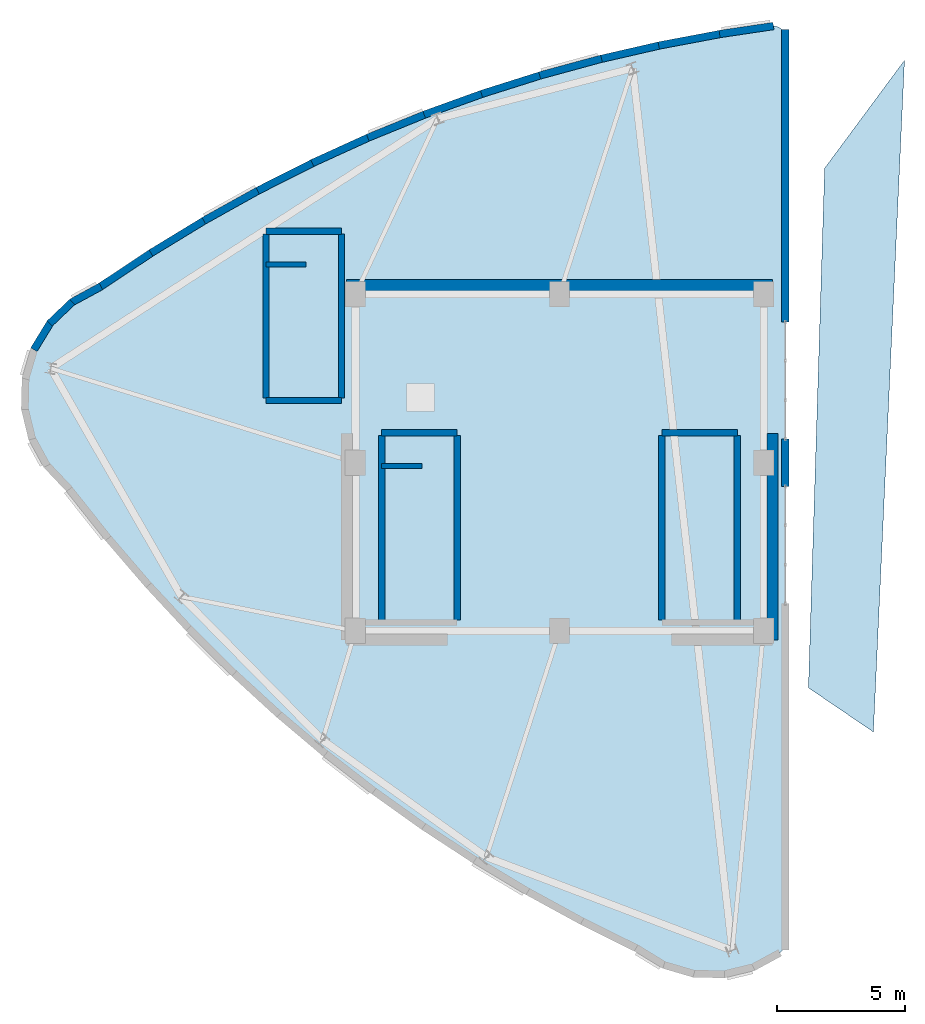
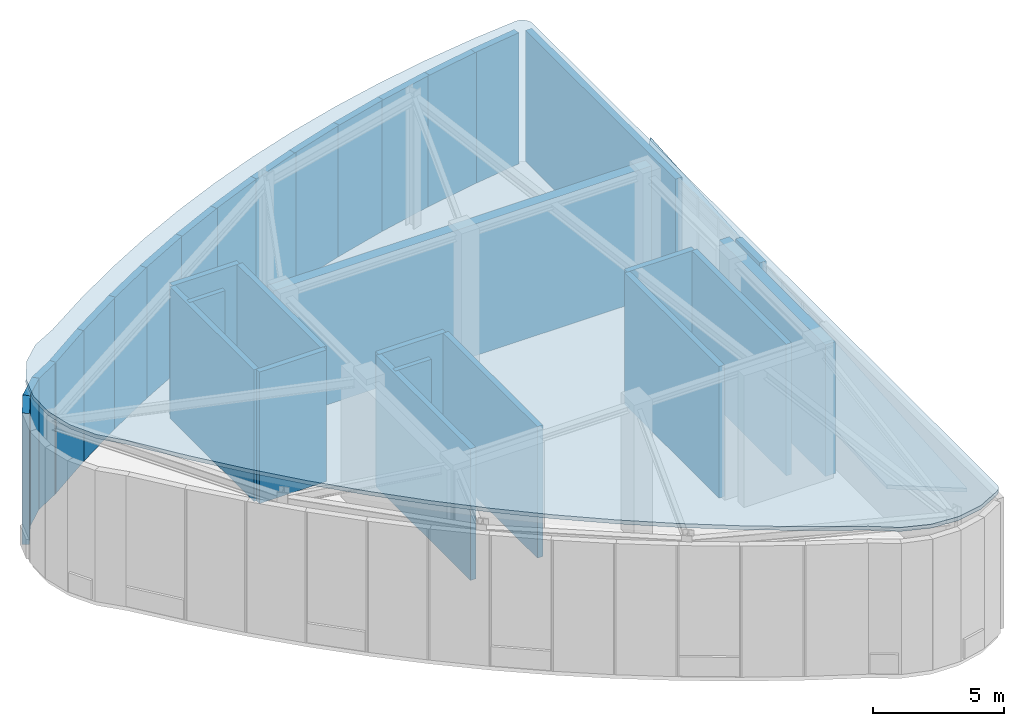
# One storey, part 8 of 9: 31 walls, 2 roofs.
"""IFC4 building model written with IfcOpenShell, lengths in metres."""

from ifc_helpers import new_model, si_unit, direction, frame, frame_2d, origin, place, context, subcontext, project, spatial, polyline, rectangle, outline, extrude, material, layer, layer_set, type_object, element, save


model = new_model("IFC4")

# Units and contexts
model_context = context("Model", 3, precision=1e-05, world=origin(), true_north=direction((0.0, 1.0)))
body_context = subcontext(model_context, "Body", "Model", "MODEL_VIEW")
ifc_project = project(units=[si_unit("LENGTHUNIT", "METRE"), si_unit("AREAUNIT", "SQUARE_METRE"), si_unit("VOLUMEUNIT", "CUBIC_METRE"), si_unit("PLANEANGLEUNIT", "RADIAN"), si_unit("MASSUNIT", "GRAM", prefix="KILO")], contexts=[model_context])

# Site, building, storey
site_placement = place(None, origin())
site = spatial("IfcSite", under=ifc_project, at=site_placement, CompositionType="ELEMENT")
building_placement = place(site_placement, origin())
building = spatial("IfcBuilding", under=site, at=building_placement, Name="Ndelora Gate Hotel", CompositionType="ELEMENT")
storey_placement = place(building_placement, frame((0.0, 0.0, 311.60009765625)))
storey = spatial("IfcBuildingStorey", under=building, at=storey_placement, Name="RF2", CompositionType="ELEMENT", Elevation=311.60009765625)

# Walls
ifc_material_1 = material(Name="Concrete C50/60", Category="concrete")
ifc_layer_1 = layer(ifc_material_1, 0.449951171875)
ifc_layer_set_1 = layer_set([ifc_layer_1], Name="Concrete C50/60")
wall_type_1 = type_object("IfcWallType", Name="WL-CORE-450", PredefinedType="SHEAR", material=ifc_layer_set_1)
wall_1_placement = place(storey_placement, frame((-8.35009765625, 6.949951171875, 0.0), z_axis=(0.0, 0.0, 1.0), x_axis=(1.0, 0.0, 0.0)))
element("IfcWall", 1, at=wall_1_placement, inside=storey, type_object=wall_type_1, Name="RF2 Core Shear Wall N", PredefinedType="SHEAR", context=body_context, shape_type="SweptSolid", body=[
    extrude(rectangle(XDim=16.7001953125, YDim=0.449951171875, at=frame_2d((8.35009765625, 0.0))), origin(), (0.0, 0.0, 1.0), 6.139892578125),
])
wall_2_placement = place(storey_placement, frame((8.35009765625, -6.949951171875, 0.0), z_axis=(0.0, 0.0, 1.0), x_axis=(0.0, 1.0, 0.0)))
element("IfcWall", 2, at=wall_2_placement, inside=storey, type_object=wall_type_1, Name="RF2 Core Shear Wall E", PredefinedType="SHEAR", context=body_context, shape_type="SweptSolid", body=[
    extrude(rectangle(XDim=8.099853515625, YDim=0.449951171875, at=frame_2d((4.0498046875, 0.0))), origin(), (0.0, 0.0, 1.0), 6.139892578125),
])
ifc_material_2 = material(Name="Concrete C40/50", Category="concrete")
ifc_layer_2 = layer(ifc_material_2, 0.199951171875)
ifc_layer_set_2 = layer_set([ifc_layer_2], Name="Concrete C40/50")
wall_type_2 = type_object("IfcWallType", Name="WL-FIRE-200", PredefinedType="PARTITIONING", material=ifc_layer_set_2)
for number, where, z_axis, x_axis, name in (
    (3, (-6.969970703125, -0.1298828125, 0.0), (0.0, 0.0, 1.0), (1.0, 0.0, 0.0), "RF2 Interior Wall IW-2"),
    (4, (-11.510009765625, 7.77001953125, 0.0), (0.0, 0.0, 1.0), (1.0, 0.0, 0.0), "RF2 Interior Wall IW-2"),
):
    element("IfcWall", number, at=place(storey_placement, frame(where, z_axis=z_axis, x_axis=x_axis)), inside=storey, type_object=wall_type_2, Name=name, PredefinedType="PARTITIONING", context=body_context, shape_type="SweptSolid", body=[
        extrude(rectangle(XDim=1.580078125, YDim=0.199951171875, at=frame_2d((0.7900390625, 0.0))), origin(), (0.0, 0.0, 1.0), 6.139892578125),
    ])
ifc_material_3 = material(Name="Precast concrete C40/50", Category="concrete")
ifc_layer_3 = layer(ifc_material_3, 0.2900390625)
ifc_layer_set_3 = layer_set([ifc_layer_3], Name="Precast concrete C40/50")
wall_type_3 = type_object("IfcWallType", Name="WL-PARA-290", PredefinedType="PARAPET", material=ifc_layer_set_3)
wall_3_placement = place(storey_placement, frame((8.85009765625, 0.929931640625, 0.0), z_axis=(0.0, 0.0, 1.0), x_axis=(0.0, -1.0, 0.0)))
element("IfcWall", 5, at=wall_3_placement, inside=storey, type_object=wall_type_3, Name="RF2 West Crown Canyon Brick Pier 2", PredefinedType="PARAPET", context=body_context, shape_type="SweptSolid", body=[
    extrude(rectangle(XDim=1.85986328125, YDim=0.2900390625, at=frame_2d((0.929931640625, 0.0))), origin(), (0.0, 0.0, 1.0), 6.119873046875),
])
wall_4_placement = place(storey_placement, frame((8.85009765625, 16.986572265625, 0.0), z_axis=(0.0, 0.0, 1.0), x_axis=(0.0, -1.0, 0.0)))
element("IfcWall", 6, at=wall_4_placement, inside=storey, type_object=wall_type_3, Name="RF2 West Crown Canyon Brick Pier 3", PredefinedType="PARAPET", context=body_context, shape_type="SweptSolid", body=[
    extrude(rectangle(XDim=11.466552734375, YDim=0.2900390625, at=frame_2d((5.7333984375, 0.0))), origin(), (0.0, 0.0, 1.0), 6.119873046875),
])
wall_5_placement = place(storey_placement, frame((-19.128173828125, 6.2841796875, 0.0), z_axis=(0.0, 0.0, 1.0), x_axis=(0.878173375728, 0.478342473719, 0.0)))
element("IfcWall", 7, at=wall_5_placement, inside=storey, type_object=wall_type_3, Name="RF2 Crown Enclosure Parapet Wall WPK-1", PredefinedType="PARAPET", context=body_context, shape_type="SweptSolid", body=[
    extrude(rectangle(XDim=1.30908203125, YDim=0.2900390625, at=frame_2d((0.654541015625, 0.0))), origin(), (0.0, 0.0, 1.0), 6.119873046875),
])
for number, where, z_axis, x_axis, name in (
    (8, (-19.989013671875, 5.454345703125, 0.0), (0.0, 0.0, 1.0), (0.72422318741, 0.689565642138, 0.0), "RF2 Crown Enclosure Parapet Wall WPK-3"),
    (9, (-20.606201171875, 4.429931640625, 0.0), (0.0, 0.0, 1.0), (0.521216361952, 0.853424574308, 0.0), "RF2 Crown Enclosure Parapet Wall WPK-5"),
):
    element("IfcWall", number, at=place(storey_placement, frame(where, z_axis=z_axis, x_axis=x_axis)), inside=storey, type_object=wall_type_3, Name=name, PredefinedType="PARAPET", context=body_context, shape_type="SweptSolid", body=[
        extrude(rectangle(XDim=1.225830078125, YDim=0.2900390625, at=frame_2d((0.61279296875, 0.0))), origin(), (0.0, 0.0, 1.0), 6.119873046875),
    ])
wall_6_placement = place(storey_placement, frame((6.27734375, 16.80419921875, 0.0), z_axis=(0.0, 0.0, 1.0), x_axis=(0.989170885367, 0.146768387409, 0.0)))
element("IfcWall", 10, at=wall_6_placement, inside=storey, type_object=wall_type_3, Name="RF2 Crown Enclosure Parapet Wall WPK-52", PredefinedType="PARAPET", context=body_context, shape_type="SweptSolid", body=[
    extrude(rectangle(XDim=2.13427734375, YDim=0.2900390625, at=frame_2d((1.067138671875, 0.0))), origin(), (0.0, 0.0, 1.0), 6.119873046875),
])
wall_7_placement = place(storey_placement, frame((3.890869140625, 16.352294921875, 0.0), z_axis=(0.0, 0.0, 1.0), x_axis=(0.982698658406, 0.185211626978, 0.0)))
element("IfcWall", 11, at=wall_7_placement, inside=storey, type_object=wall_type_3, Name="RF2 Crown Enclosure Parapet Wall WPK-53", PredefinedType="PARAPET", context=body_context, shape_type="SweptSolid", body=[
    extrude(rectangle(XDim=2.538818359375, YDim=0.2900390625, at=frame_2d((1.26953125, 0.0))), origin(), (0.0, 0.0, 1.0), 6.119873046875),
])
wall_8_placement = place(storey_placement, frame((1.539306640625, 15.810302734375, 0.0), z_axis=(0.0, 0.0, 1.0), x_axis=(0.974635230038, 0.223799393138, 0.0)))
element("IfcWall", 12, at=wall_8_placement, inside=storey, type_object=wall_type_3, Name="RF2 Crown Enclosure Parapet Wall WPK-54", PredefinedType="PARAPET", context=body_context, shape_type="SweptSolid", body=[
    extrude(rectangle(XDim=2.523193359375, YDim=0.2900390625, at=frame_2d((1.26171875, 0.0))), origin(), (0.0, 0.0, 1.0), 6.119873046875),
])
wall_9_placement = place(storey_placement, frame((-0.777099609375, 15.177734375, 0.0), z_axis=(0.0, 0.0, 1.0), x_axis=(0.964907263861, 0.262590883596, 0.0)))
element("IfcWall", 13, at=wall_9_placement, inside=storey, type_object=wall_type_3, Name="RF2 Crown Enclosure Parapet Wall WPK-55", PredefinedType="PARAPET", context=body_context, shape_type="SweptSolid", body=[
    extrude(rectangle(XDim=2.51123046875, YDim=0.2900390625, at=frame_2d((1.255615234375, 0.0))), origin(), (0.0, 0.0, 1.0), 6.119873046875),
])
wall_10_placement = place(storey_placement, frame((-3.05859375, 14.454833984375, 0.0), z_axis=(0.0, 0.0, 1.0), x_axis=(0.953576769374, 0.301150037209, 0.0)))
element("IfcWall", 14, at=wall_10_placement, inside=storey, type_object=wall_type_3, Name="RF2 Crown Enclosure Parapet Wall WPK-56", PredefinedType="PARAPET", context=body_context, shape_type="SweptSolid", body=[
    extrude(rectangle(XDim=2.50341796875, YDim=0.2900390625, at=frame_2d((1.251708984375, 0.0))), origin(), (0.0, 0.0, 1.0), 6.119873046875),
])
for number, where, z_axis, x_axis, name in (
    (15, (-5.30517578125, 13.6416015625, 0.0), (0.0, 0.0, 1.0), (0.940589433812, 0.33954604548, 0.0), "RF2 Crown Enclosure Parapet Wall WPK-57"),
    (16, (-7.51708984375, 12.73779296875, 0.0), (0.0, 0.0, 1.0), (0.926065809797, 0.377362048866, 0.0), "RF2 Crown Enclosure Parapet Wall WPK-58"),
):
    element("IfcWall", number, at=place(storey_placement, frame(where, z_axis=z_axis, x_axis=x_axis)), inside=storey, type_object=wall_type_3, Name=name, PredefinedType="PARAPET", context=body_context, shape_type="SweptSolid", body=[
        extrude(rectangle(XDim=2.499267578125, YDim=0.2900390625, at=frame_2d((1.24951171875, 0.0))), origin(), (0.0, 0.0, 1.0), 6.119873046875),
    ])
wall_11_placement = place(storey_placement, frame((-9.694091796875, 11.743896484375, 0.0), z_axis=(0.0, 0.0, 1.0), x_axis=(0.910048904543, 0.414500894257, 0.0)))
element("IfcWall", 17, at=wall_11_placement, inside=storey, type_object=wall_type_3, Name="RF2 Crown Enclosure Parapet Wall WPK-59", PredefinedType="PARAPET", context=body_context, shape_type="SweptSolid", body=[
    extrude(rectangle(XDim=2.503173828125, YDim=0.2900390625, at=frame_2d((1.25146484375, 0.0))), origin(), (0.0, 0.0, 1.0), 6.119873046875),
])
wall_12_placement = place(storey_placement, frame((-11.836181640625, 10.6591796875, 0.0), z_axis=(0.0, 0.0, 1.0), x_axis=(0.892552621867, 0.450943252747, 0.0)))
element("IfcWall", 18, at=wall_12_placement, inside=storey, type_object=wall_type_3, Name="RF2 Crown Enclosure Parapet Wall WPK-60", PredefinedType="PARAPET", context=body_context, shape_type="SweptSolid", body=[
    extrude(rectangle(XDim=2.510986328125, YDim=0.2900390625, at=frame_2d((1.25537109375, 0.0))), origin(), (0.0, 0.0, 1.0), 6.119873046875),
])
wall_13_placement = place(storey_placement, frame((-13.94384765625, 9.484619140625, 0.0), z_axis=(0.0, 0.0, 1.0), x_axis=(0.873960918974, 0.485996205856, 0.0)))
element("IfcWall", 19, at=wall_13_placement, inside=storey, type_object=wall_type_3, Name="RF2 Crown Enclosure Parapet Wall WPK-61", PredefinedType="PARAPET", context=body_context, shape_type="SweptSolid", body=[
    extrude(rectangle(XDim=2.522705078125, YDim=0.2900390625, at=frame_2d((1.26123046875, 0.0))), origin(), (0.0, 0.0, 1.0), 6.119873046875),
])
wall_14_placement = place(storey_placement, frame((-16.0166015625, 8.21923828125, 0.0), z_axis=(0.0, 0.0, 1.0), x_axis=(0.854010909552, 0.520255097395, 0.0)))
element("IfcWall", 20, at=wall_14_placement, inside=storey, type_object=wall_type_3, Name="RF2 Crown Enclosure Parapet Wall WPK-62", PredefinedType="PARAPET", context=body_context, shape_type="SweptSolid", body=[
    extrude(rectangle(XDim=2.538330078125, YDim=0.2900390625, at=frame_2d((1.26904296875, 0.0))), origin(), (0.0, 0.0, 1.0), 6.119873046875),
])
wall_15_placement = place(storey_placement, frame((-18.072509765625, 6.853759765625, 0.0), z_axis=(0.0, 0.0, 1.0), x_axis=(0.833460819708, 0.552578557322, 0.0)))
element("IfcWall", 21, at=wall_15_placement, inside=storey, type_object=wall_type_3, Name="RF2 Crown Enclosure Parapet Wall WPK-63", PredefinedType="PARAPET", context=body_context, shape_type="SweptSolid", body=[
    extrude(rectangle(XDim=2.578125, YDim=0.2900390625, at=frame_2d((1.2890625, 0.0))), origin(), (0.0, 0.0, 1.0), 6.119873046875),
])
ifc_layer_4 = layer(ifc_material_1, 0.239990234375)
ifc_layer_set_4 = layer_set([ifc_layer_4], Name="Concrete C50/60")
wall_type_4 = type_object("IfcWallType", Name="WL-STAIR-240", PredefinedType="SHEAR", material=ifc_layer_set_4)
for number, where, z_axis, x_axis, name in (
    (22, (-6.969970703125, -6.159912109375, 0.0), (0.0, 0.0, 1.0), (0.0, 1.0, 0.0), "RF2 Stair Core Shear Wall SW-ST"),
    (23, (-4.010009765625, -6.159912109375, 0.0), (0.0, 0.0, 1.0), (0.0, 1.0, 0.0), "RF2 Stair Core Shear Wall SW-ST"),
):
    element("IfcWall", number, at=place(storey_placement, frame(where, z_axis=z_axis, x_axis=x_axis)), inside=storey, type_object=wall_type_4, Name=name, PredefinedType="SHEAR", context=body_context, shape_type="SweptSolid", body=[
        extrude(rectangle(XDim=7.219970703125, YDim=0.239990234375, at=frame_2d((3.60986328125, 0.0))), origin(), (0.0, 0.0, 1.0), 6.139892578125),
    ])
wall_16_placement = place(storey_placement, frame((-6.969970703125, 1.169921875, 0.0), z_axis=(0.0, 0.0, 1.0), x_axis=(1.0, 0.0, 0.0)))
element("IfcWall", 24, at=wall_16_placement, inside=storey, type_object=wall_type_4, Name="RF2 Stair Core Shear Wall SW-ST", PredefinedType="SHEAR", context=body_context, shape_type="SweptSolid", body=[
    extrude(rectangle(XDim=2.9599609375, YDim=0.239990234375, at=frame_2d((1.47998046875, 0.0))), origin(), (0.0, 0.0, 1.0), 6.139892578125),
])
for number, where, z_axis, x_axis, name in (
    (25, (4.010009765625, -6.159912109375, 0.0), (0.0, 0.0, 1.0), (0.0, 1.0, 0.0), "RF2 Stair Core Shear Wall SW-ST"),
    (26, (6.969970703125, -6.159912109375, 0.0), (0.0, 0.0, 1.0), (0.0, 1.0, 0.0), "RF2 Stair Core Shear Wall SW-ST"),
):
    element("IfcWall", number, at=place(storey_placement, frame(where, z_axis=z_axis, x_axis=x_axis)), inside=storey, type_object=wall_type_4, Name=name, PredefinedType="SHEAR", context=body_context, shape_type="SweptSolid", body=[
        extrude(rectangle(XDim=7.219970703125, YDim=0.239990234375, at=frame_2d((3.60986328125, 0.0))), origin(), (0.0, 0.0, 1.0), 6.139892578125),
    ])
wall_17_placement = place(storey_placement, frame((4.010009765625, 1.169921875, 0.0), z_axis=(0.0, 0.0, 1.0), x_axis=(1.0, 0.0, 0.0)))
element("IfcWall", 27, at=wall_17_placement, inside=storey, type_object=wall_type_4, Name="RF2 Stair Core Shear Wall SW-ST", PredefinedType="SHEAR", context=body_context, shape_type="SweptSolid", body=[
    extrude(rectangle(XDim=2.9599609375, YDim=0.239990234375, at=frame_2d((1.47998046875, 0.0))), origin(), (0.0, 0.0, 1.0), 6.139892578125),
])
wall_18_placement = place(storey_placement, frame((-11.510009765625, 2.5400390625, 0.0), z_axis=(0.0, 0.0, 1.0), x_axis=(0.0, 1.0, 0.0)))
element("IfcWall", 28, at=wall_18_placement, inside=storey, type_object=wall_type_4, Name="RF2 Stair Core Shear Wall SW-ST", PredefinedType="SHEAR", context=body_context, shape_type="SweptSolid", body=[
    extrude(rectangle(XDim=6.419921875, YDim=0.239990234375, at=frame_2d((3.2099609375, 0.0))), origin(), (0.0, 0.0, 1.0), 6.139892578125),
])
wall_19_placement = place(storey_placement, frame((-11.510009765625, 2.429931640625, 0.0), z_axis=(0.0, 0.0, 1.0), x_axis=(1.0, 0.0, 0.0)))
element("IfcWall", 29, at=wall_19_placement, inside=storey, type_object=wall_type_4, Name="RF2 Stair Core Shear Wall SW-ST", PredefinedType="SHEAR", context=body_context, shape_type="SweptSolid", body=[
    extrude(rectangle(XDim=2.9599609375, YDim=0.239990234375, at=frame_2d((1.47998046875, 0.0))), origin(), (0.0, 0.0, 1.0), 6.139892578125),
])
wall_20_placement = place(storey_placement, frame((-8.550048828125, 2.5400390625, 0.0), z_axis=(0.0, 0.0, 1.0), x_axis=(0.0, 1.0, 0.0)))
element("IfcWall", 30, at=wall_20_placement, inside=storey, type_object=wall_type_4, Name="RF2 Stair Core Shear Wall SW-ST", PredefinedType="SHEAR", context=body_context, shape_type="SweptSolid", body=[
    extrude(rectangle(XDim=6.419921875, YDim=0.239990234375, at=frame_2d((3.2099609375, 0.0))), origin(), (0.0, 0.0, 1.0), 6.139892578125),
])
wall_21_placement = place(storey_placement, frame((-11.510009765625, 9.070068359375, 0.0), z_axis=(0.0, 0.0, 1.0), x_axis=(1.0, 0.0, 0.0)))
element("IfcWall", 31, at=wall_21_placement, inside=storey, type_object=wall_type_4, Name="RF2 Stair Core Shear Wall SW-ST", PredefinedType="SHEAR", context=body_context, shape_type="SweptSolid", body=[
    extrude(rectangle(XDim=2.9599609375, YDim=0.239990234375, at=frame_2d((1.47998046875, 0.0))), origin(), (0.0, 0.0, 1.0), 6.139892578125),
])

# Roofs
ifc_layer_5 = layer(ifc_material_3, 0.179931640625)
ifc_layer_set_5 = layer_set([ifc_layer_5], Name="Precast concrete C40/50")
roof_type = type_object("IfcRoofType", Name="RF-CROWN-CAP", PredefinedType="FLAT_ROOF", material=ifc_layer_set_5)
roof_1_placement = place(storey_placement, origin())
element("IfcRoof", 32, at=roof_1_placement, inside=storey, type_object=roof_type, Name="RF2 East Peak Weatherproof Crown Roof Assembly", PredefinedType="FLAT_ROOF", context=body_context, shape_type="SweptSolid", body=[
    extrude(outline(polyline([(9.757568359375, -8.828369140625), (12.306884765625, -10.562255859375), (13.527099609375, 15.7783203125), (10.39208984375, 11.540771484375), (9.757568359375, -8.828369140625)])), origin(), (0.0, 0.0, 1.0), 0.179931640625),
])
roof_2_placement = place(storey_placement, frame((-18.02685546875, 6.884033203125, 7.61669921875), z_axis=(0.038551583657, 1.763934e-06, 0.999256611384), x_axis=(-0.877610916766, -0.478176354763, 0.033859304769)))
element("IfcRoof", 33, at=roof_2_placement, inside=storey, type_object=roof_type, Name="RF2 West Peak Summit Sloped Weatherproof Crown Roof Assembly", PredefinedType="FLAT_ROOF", context=body_context, shape_type="SweptSolid", body=[
    extrude(outline(polyline([(0.0, 0.0), (1.1998302787108004, 5.399326818977812e-17), (1.2769240354865987, 0.013344023036041012), (2.3551477016028866, 0.3024942483647996), (2.4264713515018004, 0.33538071966407135), (3.393011932484233, 0.8935452526302737), (3.4530194140649746, 0.9439901028036854), (4.2420554025853505, 1.7330629477082653), (4.287017831657039, 1.7972587920148588), (4.844666048216887, 2.76373866423892), (4.8714890555899935, 2.8375326516478965), (5.15971203625502, 3.9156772120633208), (5.166781852013598, 3.9935544077474234), (5.165889034761013, 5.109856078929487), (5.152487379041018, 5.186925916585687), (4.846565832487111, 6.336705509000082), (4.424517714720443, 8.756982261028842), (3.9143376301146584, 11.132397384515842), (3.314650659536209, 13.470648986833112), (2.625465069416923, 15.771732567759045), (1.8465583328472472, 18.035769283019064), (0.9782614525790183, 20.262856896992318), (0.020465952769950863, 22.45277648957423), (-1.0272649539672292, 24.60576587199405), (-2.1642609956970262, 26.722016072788453), (-3.390861441603098, 28.801433827799908), (-4.707183033959562, 30.843804717145456), (-6.123318139487693, 32.86685475688964), (-6.723977002344653, 33.905518565173956), (-6.774364494021456, 33.965754109663926), (-7.564365179472715, 34.75474844475059), (-7.628494004907111, 34.79994908879678), (-8.595829884938514, 35.35775515162586), (-8.669559067352418, 35.38483237022085), (-9.74831313212802, 35.673615357265604), (-9.826339654415916, 35.68051583280571), (-10.903795717861929, 35.68199374519712), (-10.981963572728606, 35.67535010315116), (-11.050537714026156, 35.658757425667154), (-11.13592973205145, 35.626581043713806), (-11.212826724903165, 35.577826309609385), (-11.278417213719656, 35.514576248587936), (-11.33000377070656, 35.43925396171348), (-28.318756958304224, 4.230984300082962), (-28.345487813707887, 4.144075034853856), (-28.353759306795205, 4.053786994594119), (-28.343993089940934, 3.9634075418252848), (-28.31648311560703, 3.8769884544431914), (-28.271890095941455, 3.797947251137998), (-28.212298963509976, 3.729086972757095), (-28.140203947763318, 3.673989466425251), (-28.058507177186023, 3.633956833809106), (-26.15666945930294, 2.9367919745555406), (-23.843689054862136, 2.189515954622894), (-21.518525592225696, 1.5381817651615344), (-19.18062285052539, 0.9833205105381402), (-16.83010852967399, 0.5241677753783993), (-14.46697167203284, 0.16127355517366118), (-12.091223235240598, -0.10591214556742537), (-9.702521258906764, -0.27674156697435964), (-7.301313488057284, -0.35152689330925707), (-4.8871548688730515, -0.330510436022958), (-2.460167718853163, -0.2133476190638668), (0.0, 0.0)])), origin(), (0.0, 0.0, -1.0), 0.179931640625),
])

save(model, "model.ifc")
